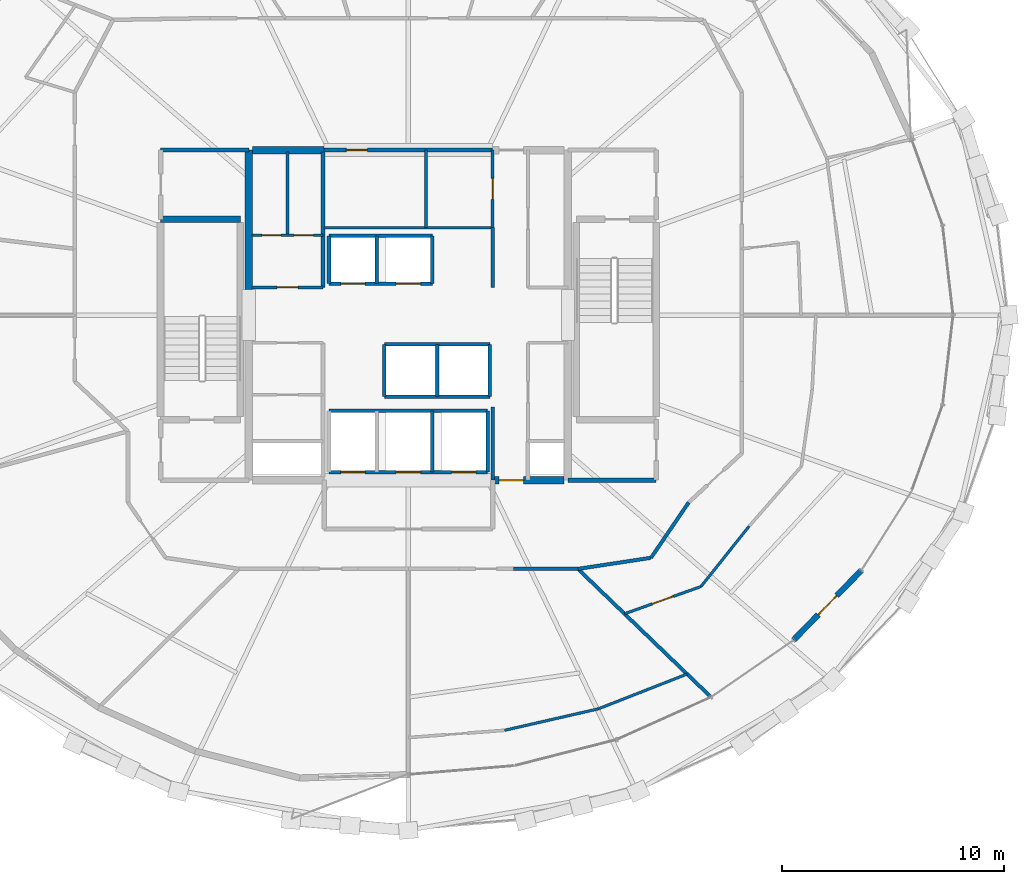
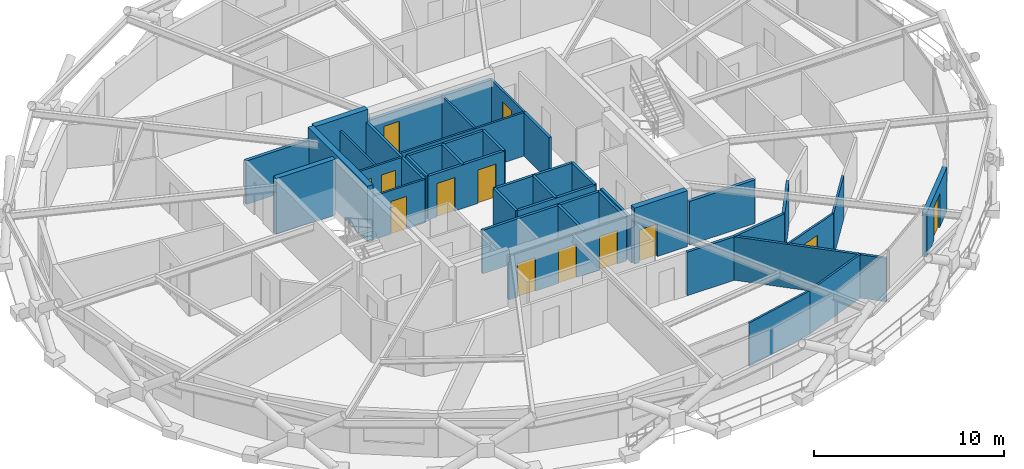
# One storey, part 13 of 16: 39 walls, 13 doors, 13 openings.
"""IFC4 building model written with IfcOpenShell, lengths in metres."""

from ifc_helpers import new_model, si_unit, direction, frame, frame_2d, origin, place, context, subcontext, project, spatial, rectangle, extrude, material, layer, layer_set, type_object, element, fill, save


model = new_model("IFC4")

# Units and contexts
model_context = context("Model", 3, precision=1e-05, world=origin(), true_north=direction((0.0, 1.0)))
body_context = subcontext(model_context, "Body", "Model", "MODEL_VIEW")
ifc_project = project(units=[si_unit("LENGTHUNIT", "METRE"), si_unit("AREAUNIT", "SQUARE_METRE"), si_unit("VOLUMEUNIT", "CUBIC_METRE"), si_unit("PLANEANGLEUNIT", "RADIAN"), si_unit("MASSUNIT", "GRAM", prefix="KILO")], contexts=[model_context])

# Site, building, storey
site_placement = place(None, origin())
site = spatial("IfcSite", under=ifc_project, at=site_placement, CompositionType="ELEMENT")
building_placement = place(site_placement, origin())
building = spatial("IfcBuilding", under=site, at=building_placement, Name="Veldorina Hangang Commons", CompositionType="ELEMENT")
storey_placement = place(building_placement, frame((0.0, 0.0, 189.199951171875)))
storey = spatial("IfcBuildingStorey", under=building, at=storey_placement, Name="L49", CompositionType="ELEMENT", Elevation=189.199951171875)

# Wall
ifc_material_1 = material(Name="Concrete C60/75", Category="concrete")
ifc_layer_1 = layer(ifc_material_1, 0.340087890625)
ifc_layer_set_1 = layer_set([ifc_layer_1], Name="Concrete C60/75")
wall_type_1 = type_object("IfcWallType", Name="CW-RC340-C60", PredefinedType="SHEAR", material=ifc_layer_set_1)
wall_1_placement = place(storey_placement, frame((24.800048828125, 25.14990234375, 0.0), z_axis=(0.0, 0.0, 1.0), x_axis=(0.0, 1.0, 0.0)))
element("IfcWall", 1, at=wall_1_placement, inside=storey, type_object=wall_type_1, Name="L49 W north core shear wall", PredefinedType="SHEAR", context=body_context, shape_type="SweptSolid", body=[
    extrude(rectangle(XDim=6.300048828125, YDim=0.340087890625, at=frame_2d((3.14990234375, 0.0))), origin(), (0.0, 0.0, 1.0), 3.60009765625),
])

# Wall, opening, door
wall_2_placement = place(storey_placement, frame((35.800048828125, 16.550048828125, 0.0), z_axis=(0.0, 0.0, 1.0), x_axis=(1.0, 0.0, 0.0)))
wall_2 = element("IfcWall", 2, at=wall_2_placement, inside=storey, type_object=wall_type_1, Name="L49 south-east core shear wall", PredefinedType="SHEAR", context=body_context, shape_type="SweptSolid", body=[
    extrude(rectangle(XDim=3.22998046875, YDim=0.340087890625, at=frame_2d((1.614990234375, 0.0))), origin(), (0.0, 0.0, 1.0), 3.60009765625),
])
opening_1_placement = place(wall_2_placement, frame((0.300048828125, 0.0, 0.0)))
opening_1 = element("IfcOpeningElement", 3, at=opening_1_placement, cuts=wall_2, Name="Opening D-08", PredefinedType="OPENING", context=body_context, shape_type="SweptSolid", body=[
    extrude(rectangle(XDim=1.10009765625, YDim=2.10009765625, at=frame_2d((0.550048828125, 1.050048828125))), frame((0.0, 0.18017578125, 0.0), z_axis=(0.0, -1.0, 0.0), x_axis=(1.0, 0.0, 0.0)), (0.0, 0.0, 1.0), 0.360107421875),
])
ifc_material_2 = material(Name="Steel Fire-Rated Smoke Seal", Category="steel")
door_type_1 = type_object("IfcDoorType", Name="DR-FIRE-1100", OperationType="SINGLE_SWING_RIGHT", PredefinedType="DOOR", material=ifc_material_2)
door_1_placement = place(opening_1_placement, origin())
door_1 = element("IfcDoor", 4, at=door_1_placement, inside=storey, type_object=door_type_1, Name="L49 central lift lobby south corridor door", OperationType="SINGLE_SWING_RIGHT", OverallHeight=2.10009765625, OverallWidth=1.10009765625, PredefinedType="DOOR", context=body_context, shape_type="SweptSolid", body=[
    extrude(rectangle(XDim=1.10009765625, YDim=2.10009765625, at=frame_2d((0.550048828125, 1.050048828125))), frame((0.0, 0.02490234375, 0.0), z_axis=(0.0, -1.0, 0.0), x_axis=(1.0, 0.0, 0.0)), (0.0, 0.0, 1.0), 0.050048828125),
])
fill(opening_1, door_1)

# Wall
wall_3_placement = place(storey_placement, frame((24.969970703125, 31.449951171875, 0.0), z_axis=(0.0, 0.0, 1.0), x_axis=(1.0, 0.0, 0.0)))
element("IfcWall", 5, at=wall_3_placement, inside=storey, type_object=wall_type_1, Name="L49 north-west core shear wall", PredefinedType="SHEAR", context=body_context, shape_type="SweptSolid", body=[
    extrude(rectangle(XDim=3.22998046875, YDim=0.340087890625, at=frame_2d((1.614990234375, 0.0))), origin(), (0.0, 0.0, 1.0), 3.60009765625),
])

# Wall, opening, door
ifc_material_3 = material(Name="Stone Roman Travertine", Category="masonry")
ifc_layer_2 = layer(ifc_material_3, 0.260009765625)
ifc_layer_set_2 = layer_set([ifc_layer_2], Name="Stone Roman Travertine")
wall_type_2 = type_object("IfcWallType", Name="EW-LOGGIA-260", PredefinedType="STANDARD", material=ifc_layer_set_2)
wall_4_placement = place(storey_placement, frame((49.383544921875, 9.340576171875, 0.0), z_axis=(0.0, 0.0, 1.0), x_axis=(0.697434596523, 0.716648437919, 0.0)))
wall_4 = element("IfcWall", 6, at=wall_4_placement, inside=storey, type_object=wall_type_2, Name="L49 sky-garden loggia portal wall 28", PredefinedType="STANDARD", context=body_context, shape_type="SweptSolid", body=[
    extrude(rectangle(XDim=4.3837890625, YDim=0.260009765625, at=frame_2d((2.19189453125, 0.0))), origin(), (0.0, 0.0, 1.0), 2.820068359375),
])
opening_2_placement = place(wall_4_placement, frame((1.591796875, 0.0, 0.0)))
opening_2 = element("IfcOpeningElement", 7, at=opening_2_placement, cuts=wall_4, Name="Opening BD-1200", PredefinedType="OPENING", context=body_context, shape_type="SweptSolid", body=[
    extrude(rectangle(XDim=1.199951171875, YDim=2.14990234375, at=frame_2d((0.60009765625, 1.074951171875))), frame((0.0, 0.14013671875, 0.0), z_axis=(0.0, -1.0, 0.0), x_axis=(1.0, 0.0, 0.0)), (0.0, 0.0, 1.0), 0.280029296875),
])
ifc_material_4 = material(Name="Glass Thermal Aluminium Frame", Category="aluminium")
door_type_2 = type_object("IfcDoorType", Name="DR-EXT-LOG1200", OperationType="SINGLE_SWING_LEFT", PredefinedType="DOOR", material=ifc_material_4)
door_2_placement = place(opening_2_placement, origin())
door_2 = element("IfcDoor", 8, at=door_2_placement, inside=storey, type_object=door_type_2, Name="L49 loggia glazed exterior door 28", OperationType="SINGLE_SWING_LEFT", OverallHeight=2.14990234375, OverallWidth=1.199951171875, PredefinedType="DOOR", context=body_context, shape_type="SweptSolid", body=[
    extrude(rectangle(XDim=1.199951171875, YDim=2.14990234375, at=frame_2d((0.60009765625, 1.074951171875))), frame((0.0, 0.02490234375, 0.0), z_axis=(0.0, -1.0, 0.0), x_axis=(1.0, 0.0, 0.0)), (0.0, 0.0, 1.0), 0.050048828125),
])
fill(opening_2, door_2)

# Walls
ifc_material_5 = material(Name="Concrete C50/60", Category="concrete")
ifc_layer_3 = layer(ifc_material_5, 0.300048828125)
ifc_layer_set_3 = layer_set([ifc_layer_3], Name="Concrete C50/60")
wall_type_3 = type_object("IfcWallType", Name="SW-STAIR-300", PredefinedType="SHEAR", material=ifc_layer_set_3)
wall_5_placement = place(storey_placement, frame((20.820068359375, 28.320068359375, 0.0), z_axis=(0.0, 0.0, 1.0), x_axis=(1.0, 0.0, 0.0)))
element("IfcWall", 9, at=wall_5_placement, inside=storey, type_object=wall_type_3, Name="L49 ST1 north stair shear wall", PredefinedType="SHEAR", context=body_context, shape_type="SweptSolid", body=[
    extrude(rectangle(XDim=3.599853515625, YDim=0.300048828125, at=frame_2d((1.7998046875, 0.0))), origin(), (0.0, 0.0, 1.0), 3.60009765625),
])
ifc_material_6 = material(Name="Gypsum Fire-Rated Twin Stud Wall", Category="gypsum")
ifc_layer_4 = layer(ifc_material_6, 0.159912109375)
ifc_layer_set_4 = layer_set([ifc_layer_4], Name="Gypsum Fire-Rated Twin Stud Wall")
wall_type_4 = type_object("IfcWallType", Name="WL-FIRE-160", PredefinedType="SOLIDWALL", material=ifc_layer_set_4)
wall_6_placement = place(storey_placement, frame((35.800048828125, 16.550048828125, 0.0), z_axis=(0.0, 0.0, 1.0), x_axis=(0.0, 1.0, 0.0)))
element("IfcWall", 10, at=wall_6_placement, inside=storey, type_object=wall_type_4, Name="L49 Lift passage SW wall 009", PredefinedType="SOLIDWALL", context=body_context, shape_type="SweptSolid", body=[
    extrude(rectangle(XDim=3.300048828125, YDim=0.159912109375, at=frame_2d((1.64990234375, 0.0))), origin(), (0.0, 0.0, 1.0), 2.800048828125),
])
wall_7_placement = place(storey_placement, frame((35.800048828125, 25.25, 0.0), z_axis=(0.0, 0.0, 1.0), x_axis=(0.0, 1.0, 0.0)))
element("IfcWall", 11, at=wall_7_placement, inside=storey, type_object=wall_type_4, Name="L49 Lift passage NW lower wall 011", PredefinedType="SOLIDWALL", context=body_context, shape_type="SweptSolid", body=[
    extrude(rectangle(XDim=2.699951171875, YDim=0.159912109375, at=frame_2d((1.35009765625, 0.0))), origin(), (0.0, 0.0, 1.0), 2.800048828125),
])

# Wall, openings, doors
wall_8_placement = place(storey_placement, frame((28.419921875, 25.419921875, 0.0), z_axis=(0.0, 0.0, 1.0), x_axis=(1.0, 0.0, 0.0)))
wall_8 = element("IfcWall", 12, at=wall_8_placement, inside=storey, type_object=wall_type_4, Name="L49 Mid-high front shaft wall 015", PredefinedType="SOLIDWALL", context=body_context, shape_type="SweptSolid", body=[
    extrude(rectangle(XDim=4.66015625, YDim=0.159912109375, at=frame_2d((2.330078125, 0.0))), origin(), (0.0, 0.0, 1.0), 2.800048828125),
])
opening_3_placement = place(wall_8_placement, frame((0.530029296875, 0.0, 0.0)))
opening_3 = element("IfcOpeningElement", 13, at=opening_3_placement, cuts=wall_8, Name="Opening LD-01", PredefinedType="OPENING", context=body_context, shape_type="SweptSolid", body=[
    extrude(rectangle(XDim=1.10009765625, YDim=2.14990234375, at=frame_2d((0.550048828125, 1.074951171875))), frame((0.0, 0.08984375, 0.0), z_axis=(0.0, -1.0, 0.0), x_axis=(1.0, 0.0, 0.0)), (0.0, 0.0, 1.0), 0.179931640625),
])
opening_4_placement = place(wall_8_placement, frame((3.030029296875, 0.0, 0.0)))
opening_4 = element("IfcOpeningElement", 14, at=opening_4_placement, cuts=wall_8, Name="Opening LD-01", PredefinedType="OPENING", context=body_context, shape_type="SweptSolid", body=[
    extrude(rectangle(XDim=1.10009765625, YDim=2.14990234375, at=frame_2d((0.550048828125, 1.074951171875))), frame((0.0, 0.08984375, 0.0), z_axis=(0.0, -1.0, 0.0), x_axis=(1.0, 0.0, 0.0)), (0.0, 0.0, 1.0), 0.179931640625),
])
ifc_material_7 = material(Name="Stainless Steel Brushed Lift Door", Category="steel")
door_type_3 = type_object("IfcDoorType", Name="DR-LIFT-1100", OperationType="SLIDING_TO_LEFT", PredefinedType="DOOR", material=ifc_material_7)
door_3_placement = place(opening_3_placement, origin())
door_3 = element("IfcDoor", 15, at=door_3_placement, inside=storey, type_object=door_type_3, Name="L49 Lift PL-M1 landing door 006", OperationType="SLIDING_TO_RIGHT", OverallHeight=2.14990234375, OverallWidth=1.10009765625, PredefinedType="DOOR", context=body_context, shape_type="SweptSolid", body=[
    extrude(rectangle(XDim=1.10009765625, YDim=2.14990234375, at=frame_2d((0.550048828125, 1.074951171875))), frame((0.0, 0.02490234375, 0.0), z_axis=(0.0, -1.0, 0.0), x_axis=(1.0, 0.0, 0.0)), (0.0, 0.0, 1.0), 0.050048828125),
])
fill(opening_3, door_3)
door_4_placement = place(opening_4_placement, origin())
door_4 = element("IfcDoor", 16, at=door_4_placement, inside=storey, type_object=door_type_3, Name="L49 Lift PL-M2 landing door 007", OperationType="SLIDING_TO_RIGHT", OverallHeight=2.14990234375, OverallWidth=1.10009765625, PredefinedType="DOOR", context=body_context, shape_type="SweptSolid", body=[
    extrude(rectangle(XDim=1.10009765625, YDim=2.14990234375, at=frame_2d((0.550048828125, 1.074951171875))), frame((0.0, 0.02490234375, 0.0), z_axis=(0.0, -1.0, 0.0), x_axis=(1.0, 0.0, 0.0)), (0.0, 0.0, 1.0), 0.050048828125),
])
fill(opening_4, door_4)

# Walls
wall_9_placement = place(storey_placement, frame((28.419921875, 27.580078125, 0.0), z_axis=(0.0, 0.0, 1.0), x_axis=(1.0, 0.0, 0.0)))
element("IfcWall", 17, at=wall_9_placement, inside=storey, type_object=wall_type_4, Name="L49 Mid-high rear shaft wall 016", PredefinedType="SOLIDWALL", context=body_context, shape_type="SweptSolid", body=[
    extrude(rectangle(XDim=4.66015625, YDim=0.159912109375, at=frame_2d((2.330078125, 0.0))), origin(), (0.0, 0.0, 1.0), 2.800048828125),
])
for number, where, z_axis, x_axis, name in (
    (18, (28.419921875, 25.419921875, 0.0), (0.0, 0.0, 1.0), (0.0, 1.0, 0.0), "L49 PL-M1 west shaft wall 017"),
    (19, (30.580078125, 25.419921875, 0.0), (0.0, 0.0, 1.0), (0.0, 1.0, 0.0), "L49 PL-M1 east shaft wall 018"),
    (20, (33.080078125, 25.419921875, 0.0), (0.0, 0.0, 1.0), (0.0, 1.0, 0.0), "L49 PL-M2 east shaft wall 019"),
):
    element("IfcWall", number, at=place(storey_placement, frame(where, z_axis=z_axis, x_axis=x_axis)), inside=storey, type_object=wall_type_4, Name=name, PredefinedType="SOLIDWALL", context=body_context, shape_type="SweptSolid", body=[
        extrude(rectangle(XDim=2.16015625, YDim=0.159912109375, at=frame_2d((1.080078125, 0.0))), origin(), (0.0, 0.0, 1.0), 2.800048828125),
    ])
for number, where, z_axis, x_axis, name in (
    (21, (30.919921875, 22.679931640625, 0.0), (0.0, 0.0, 1.0), (1.0, 0.0, 0.0), "L49 Shuttle-high front shaft wall 020"),
    (22, (30.919921875, 20.320068359375, 0.0), (0.0, 0.0, 1.0), (1.0, 0.0, 0.0), "L49 Shuttle-high rear shaft wall 021"),
):
    element("IfcWall", number, at=place(storey_placement, frame(where, z_axis=z_axis, x_axis=x_axis)), inside=storey, type_object=wall_type_4, Name=name, PredefinedType="SOLIDWALL", context=body_context, shape_type="SweptSolid", body=[
        extrude(rectangle(XDim=4.760009765625, YDim=0.159912109375, at=frame_2d((2.3798828125, 0.0))), origin(), (0.0, 0.0, 1.0), 2.800048828125),
    ])
for number, where, z_axis, x_axis, name in (
    (23, (30.919921875, 20.320068359375, 0.0), (0.0, 0.0, 1.0), (0.0, 1.0, 0.0), "L49 SL-1 west shaft wall 022"),
    (24, (33.300048828125, 20.320068359375, 0.0), (0.0, 0.0, 1.0), (0.0, 1.0, 0.0), "L49 SL-1 east shaft wall 023"),
    (25, (35.679931640625, 20.320068359375, 0.0), (0.0, 0.0, 1.0), (0.0, 1.0, 0.0), "L49 SL-2 east shaft wall 024"),
):
    element("IfcWall", number, at=place(storey_placement, frame(where, z_axis=z_axis, x_axis=x_axis)), inside=storey, type_object=wall_type_4, Name=name, PredefinedType="SOLIDWALL", context=body_context, shape_type="SweptSolid", body=[
        extrude(rectangle(XDim=2.35986328125, YDim=0.159912109375, at=frame_2d((1.179931640625, 0.0))), origin(), (0.0, 0.0, 1.0), 2.800048828125),
    ])

# Wall, openings, doors
wall_10_placement = place(storey_placement, frame((28.419921875, 16.919921875, 0.0), z_axis=(0.0, 0.0, 1.0), x_axis=(1.0, 0.0, 0.0)))
wall_10 = element("IfcWall", 26, at=wall_10_placement, inside=storey, type_object=wall_type_4, Name="L49 Emergency front shaft wall 025", PredefinedType="SOLIDWALL", context=body_context, shape_type="SweptSolid", body=[
    extrude(rectangle(XDim=7.16015625, YDim=0.159912109375, at=frame_2d((3.580078125, 0.0))), origin(), (0.0, 0.0, 1.0), 2.800048828125),
])
opening_5_placement = place(wall_10_placement, frame((0.530029296875, 0.0, 0.0)))
opening_5 = element("IfcOpeningElement", 27, at=opening_5_placement, cuts=wall_10, Name="Opening LD-03", PredefinedType="OPENING", context=body_context, shape_type="SweptSolid", body=[
    extrude(rectangle(XDim=1.10009765625, YDim=2.14990234375, at=frame_2d((0.550048828125, 1.074951171875))), frame((0.0, 0.08984375, 0.0), z_axis=(0.0, -1.0, 0.0), x_axis=(1.0, 0.0, 0.0)), (0.0, 0.0, 1.0), 0.179931640625),
])
opening_6_placement = place(wall_10_placement, frame((3.030029296875, 0.0, 0.0)))
opening_6 = element("IfcOpeningElement", 28, at=opening_6_placement, cuts=wall_10, Name="Opening LD-03", PredefinedType="OPENING", context=body_context, shape_type="SweptSolid", body=[
    extrude(rectangle(XDim=1.10009765625, YDim=2.14990234375, at=frame_2d((0.550048828125, 1.074951171875))), frame((0.0, 0.08984375, 0.0), z_axis=(0.0, -1.0, 0.0), x_axis=(1.0, 0.0, 0.0)), (0.0, 0.0, 1.0), 0.179931640625),
])
opening_7_placement = place(wall_10_placement, frame((5.530029296875, 0.0, 0.0)))
opening_7 = element("IfcOpeningElement", 29, at=opening_7_placement, cuts=wall_10, Name="Opening LD-03", PredefinedType="OPENING", context=body_context, shape_type="SweptSolid", body=[
    extrude(rectangle(XDim=1.10009765625, YDim=2.14990234375, at=frame_2d((0.550048828125, 1.074951171875))), frame((0.0, 0.08984375, 0.0), z_axis=(0.0, -1.0, 0.0), x_axis=(1.0, 0.0, 0.0)), (0.0, 0.0, 1.0), 0.179931640625),
])
ifc_material_8 = material(Name="Stainless Steel Firefighting Lift Door", Category="steel")
door_type_4 = type_object("IfcDoorType", Name="DR-LIFT-FF1100", OperationType="SLIDING_TO_RIGHT", PredefinedType="DOOR", material=ifc_material_8)
door_5_placement = place(opening_5_placement, origin())
door_5 = element("IfcDoor", 30, at=door_5_placement, inside=storey, type_object=door_type_4, Name="L49 Emergency lift FFL-1 landing door 008", OperationType="SLIDING_TO_RIGHT", OverallHeight=2.14990234375, OverallWidth=1.10009765625, PredefinedType="DOOR", context=body_context, shape_type="SweptSolid", body=[
    extrude(rectangle(XDim=1.10009765625, YDim=2.14990234375, at=frame_2d((0.550048828125, 1.074951171875))), frame((0.0, 0.02490234375, 0.0), z_axis=(0.0, -1.0, 0.0), x_axis=(1.0, 0.0, 0.0)), (0.0, 0.0, 1.0), 0.050048828125),
])
fill(opening_5, door_5)
door_6_placement = place(opening_6_placement, origin())
door_6 = element("IfcDoor", 31, at=door_6_placement, inside=storey, type_object=door_type_4, Name="L49 Emergency lift FFL-2 landing door 009", OperationType="SLIDING_TO_RIGHT", OverallHeight=2.14990234375, OverallWidth=1.10009765625, PredefinedType="DOOR", context=body_context, shape_type="SweptSolid", body=[
    extrude(rectangle(XDim=1.10009765625, YDim=2.14990234375, at=frame_2d((0.550048828125, 1.074951171875))), frame((0.0, 0.02490234375, 0.0), z_axis=(0.0, -1.0, 0.0), x_axis=(1.0, 0.0, 0.0)), (0.0, 0.0, 1.0), 0.050048828125),
])
fill(opening_6, door_6)
door_7_placement = place(opening_7_placement, origin())
door_7 = element("IfcDoor", 32, at=door_7_placement, inside=storey, type_object=door_type_4, Name="L49 Emergency lift EVL-1 landing door 010", OperationType="SLIDING_TO_RIGHT", OverallHeight=2.14990234375, OverallWidth=1.10009765625, PredefinedType="DOOR", context=body_context, shape_type="SweptSolid", body=[
    extrude(rectangle(XDim=1.10009765625, YDim=2.14990234375, at=frame_2d((0.550048828125, 1.074951171875))), frame((0.0, 0.02490234375, 0.0), z_axis=(0.0, -1.0, 0.0), x_axis=(1.0, 0.0, 0.0)), (0.0, 0.0, 1.0), 0.050048828125),
])
fill(opening_7, door_7)

# Walls
wall_11_placement = place(storey_placement, frame((28.419921875, 19.679931640625, 0.0), z_axis=(0.0, 0.0, 1.0), x_axis=(1.0, 0.0, 0.0)))
element("IfcWall", 33, at=wall_11_placement, inside=storey, type_object=wall_type_4, Name="L49 Emergency rear shaft wall 026", PredefinedType="SOLIDWALL", context=body_context, shape_type="SweptSolid", body=[
    extrude(rectangle(XDim=7.16015625, YDim=0.159912109375, at=frame_2d((3.580078125, 0.0))), origin(), (0.0, 0.0, 1.0), 2.800048828125),
])
for number, where, z_axis, x_axis, name in (
    (34, (33.080078125, 16.919921875, 0.0), (0.0, 0.0, 1.0), (0.0, 1.0, 0.0), "L49 FFL-2 east shaft wall 029"),
    (35, (35.580078125, 16.919921875, 0.0), (0.0, 0.0, 1.0), (0.0, 1.0, 0.0), "L49 EVL-1 east shaft wall 030"),
):
    element("IfcWall", number, at=place(storey_placement, frame(where, z_axis=z_axis, x_axis=x_axis)), inside=storey, type_object=wall_type_4, Name=name, PredefinedType="SOLIDWALL", context=body_context, shape_type="SweptSolid", body=[
        extrude(rectangle(XDim=2.760009765625, YDim=0.159912109375, at=frame_2d((1.3798828125, 0.0))), origin(), (0.0, 0.0, 1.0), 2.800048828125),
    ])
wall_12_placement = place(storey_placement, frame((28.14990234375, 25.25, 0.0), z_axis=(0.0, 0.0, 1.0), x_axis=(0.0, 1.0, 0.0)))
element("IfcWall", 36, at=wall_12_placement, inside=storey, type_object=wall_type_4, Name="L49 NW core inner wall 038", PredefinedType="SOLIDWALL", context=body_context, shape_type="SweptSolid", body=[
    extrude(rectangle(XDim=6.10009765625, YDim=0.159912109375, at=frame_2d((3.050048828125, 0.0))), origin(), (0.0, 0.0, 1.0), 2.800048828125),
])
wall_13_placement = place(storey_placement, frame((36.74267578125, 12.550048828125, 0.0), z_axis=(0.0, 0.0, 1.0), x_axis=(1.0, 0.0, 0.0)))
element("IfcWall", 37, at=wall_13_placement, inside=storey, type_object=wall_type_4, Name="L49 U-corridor outer wall 26 074", PredefinedType="SOLIDWALL", context=body_context, shape_type="SweptSolid", body=[
    extrude(rectangle(XDim=2.907958984375, YDim=0.159912109375, at=frame_2d((1.4541015625, 0.0))), origin(), (0.0, 0.0, 1.0), 2.800048828125),
])
wall_14_placement = place(storey_placement, frame((39.650634765625, 12.550048828125, 0.0), z_axis=(0.0, 0.0, 1.0), x_axis=(0.988710906508, 0.149835721217, 0.0)))
element("IfcWall", 38, at=wall_14_placement, inside=storey, type_object=wall_type_4, Name="L49 U-corridor outer wall 27 075", PredefinedType="SOLIDWALL", context=body_context, shape_type="SweptSolid", body=[
    extrude(rectangle(XDim=3.3369140625, YDim=0.159912109375, at=frame_2d((1.66845703125, 0.0))), origin(), (0.0, 0.0, 1.0), 2.800048828125),
])
wall_15_placement = place(storey_placement, frame((42.949951171875, 13.050048828125, 0.0), z_axis=(0.0, 0.0, 1.0), x_axis=(0.562674669208, 0.826678423955, 0.0)))
element("IfcWall", 39, at=wall_15_placement, inside=storey, type_object=wall_type_4, Name="L49 U-corridor outer wall 28 076", PredefinedType="SOLIDWALL", context=body_context, shape_type="SweptSolid", body=[
    extrude(rectangle(XDim=3.021240234375, YDim=0.159912109375, at=frame_2d((1.5107421875, 0.0))), origin(), (0.0, 0.0, 1.0), 2.800048828125),
])
wall_16_placement = place(storey_placement, frame((39.650634765625, 12.550048828125, 0.0), z_axis=(0.0, 0.0, 1.0), x_axis=(0.72017417734, -0.693793308048, 0.0)))
element("IfcWall", 40, at=wall_16_placement, inside=storey, type_object=wall_type_4, Name="L49 Unit party wall 27 080", PredefinedType="SOLIDWALL", context=body_context, shape_type="SweptSolid", body=[
    extrude(rectangle(XDim=8.2919921875, YDim=0.159912109375, at=frame_2d((4.14599609375, 0.0))), origin(), (0.0, 0.0, 1.0), 2.800048828125),
])
ifc_material_9 = material(Name="Concrete Blockwork Fire Wall C30/37", Category="masonry")
ifc_layer_5 = layer(ifc_material_9, 0.199951171875)
ifc_layer_set_5 = layer_set([ifc_layer_5], Name="Concrete Blockwork Fire Wall C30/37")
wall_type_5 = type_object("IfcWallType", Name="WL-FIRE-200", PredefinedType="SOLIDWALL", material=ifc_layer_set_5)
for number, where, z_axis, x_axis, name in (
    (41, (20.820068359375, 31.449951171875, 0.0), (0.0, 0.0, 1.0), (1.0, 0.0, 0.0), "L49 NW core room north wall 006"),
    (42, (39.199951171875, 16.550048828125, 0.0), (0.0, 0.0, 1.0), (1.0, 0.0, 0.0), "L49 SE core room south wall 008"),
):
    element("IfcWall", number, at=place(storey_placement, frame(where, z_axis=z_axis, x_axis=x_axis)), inside=storey, type_object=wall_type_5, Name=name, PredefinedType="SOLIDWALL", context=body_context, shape_type="SweptSolid", body=[
        extrude(rectangle(XDim=3.97998046875, YDim=0.199951171875, at=frame_2d((1.989990234375, 0.0))), origin(), (0.0, 0.0, 1.0), 2.800048828125),
    ])

# Wall, opening, door
wall_17_placement = place(storey_placement, frame((28.199951171875, 31.449951171875, 0.0), z_axis=(0.0, 0.0, 1.0), x_axis=(1.0, 0.0, 0.0)))
wall_17 = element("IfcWall", 43, at=wall_17_placement, inside=storey, type_object=wall_type_5, Name="L49 Merged north core wall 031", PredefinedType="SOLIDWALL", context=body_context, shape_type="SweptSolid", body=[
    extrude(rectangle(XDim=7.60009765625, YDim=0.199951171875, at=frame_2d((3.800048828125, 0.0))), origin(), (0.0, 0.0, 1.0), 2.800048828125),
])
opening_8_placement = place(wall_17_placement, frame((1.0, 0.0, 0.0)))
opening_8 = element("IfcOpeningElement", 44, at=opening_8_placement, cuts=wall_17, Name="Opening D-02", PredefinedType="OPENING", context=body_context, shape_type="SweptSolid", body=[
    extrude(rectangle(XDim=0.949951171875, YDim=2.10009765625, at=frame_2d((0.47509765625, 1.050048828125))), frame((0.0, 0.10986328125, 0.0), z_axis=(0.0, -1.0, 0.0), x_axis=(1.0, 0.0, 0.0)), (0.0, 0.0, 1.0), 0.219970703125),
])
ifc_material_10 = material(Name="Timber Solid Core Acoustic", Category="wood")
door_type_5 = type_object("IfcDoorType", Name="DR-INT-950", OperationType="SINGLE_SWING_LEFT", PredefinedType="DOOR", material=ifc_material_10)
door_8_placement = place(opening_8_placement, origin())
door_8 = element("IfcDoor", 45, at=door_8_placement, inside=storey, type_object=door_type_5, Name="L49 Core study alcove door 011", OperationType="SINGLE_SWING_LEFT", OverallHeight=2.10009765625, OverallWidth=0.949951171875, PredefinedType="DOOR", context=body_context, shape_type="SweptSolid", body=[
    extrude(rectangle(XDim=0.949951171875, YDim=2.10009765625, at=frame_2d((0.47509765625, 1.050048828125))), frame((0.0, 0.02490234375, 0.0), z_axis=(0.0, -1.0, 0.0), x_axis=(1.0, 0.0, 0.0)), (0.0, 0.0, 1.0), 0.050048828125),
])
fill(opening_8, door_8)

# Wall
ifc_material_11 = material(Name="Gypsum Acoustic Stud Partition", Category="gypsum")
ifc_layer_6 = layer(ifc_material_11, 0.1201171875)
ifc_layer_set_6 = layer_set([ifc_layer_6], Name="Gypsum Acoustic Stud Partition")
wall_type_6 = type_object("IfcWallType", Name="WL-PART-120", PredefinedType="PARTITIONING", material=ifc_layer_set_6)
wall_18_placement = place(storey_placement, frame((28.199951171875, 27.949951171875, 0.0), z_axis=(0.0, 0.0, 1.0), x_axis=(1.0, 0.0, 0.0)))
element("IfcWall", 46, at=wall_18_placement, inside=storey, type_object=wall_type_6, Name="L49 Merged north south wall 032", PredefinedType="PARTITIONING", context=body_context, shape_type="SweptSolid", body=[
    extrude(rectangle(XDim=7.60009765625, YDim=0.1201171875, at=frame_2d((3.800048828125, 0.0))), origin(), (0.0, 0.0, 1.0), 2.800048828125),
])

# Wall, opening, door
wall_19_placement = place(storey_placement, frame((35.800048828125, 27.949951171875, 0.0), z_axis=(0.0, 0.0, 1.0), x_axis=(0.0, 1.0, 0.0)))
wall_19 = element("IfcWall", 47, at=wall_19_placement, inside=storey, type_object=wall_type_6, Name="L49 Merged north east wall 033", PredefinedType="PARTITIONING", context=body_context, shape_type="SweptSolid", body=[
    extrude(rectangle(XDim=3.5, YDim=0.1201171875, at=frame_2d((1.75, 0.0))), origin(), (0.0, 0.0, 1.0), 2.800048828125),
])
opening_9_placement = place(wall_19_placement, frame((1.27490234375, 0.0, 0.0)))
opening_9 = element("IfcOpeningElement", 48, at=opening_9_placement, cuts=wall_19, Name="Opening D-02", PredefinedType="OPENING", context=body_context, shape_type="SweptSolid", body=[
    extrude(rectangle(XDim=0.949951171875, YDim=2.10009765625, at=frame_2d((0.47509765625, 1.050048828125))), frame((0.0, 0.070068359375, 0.0), z_axis=(0.0, -1.0, 0.0), x_axis=(1.0, 0.0, 0.0)), (0.0, 0.0, 1.0), 0.14013671875),
])
door_9_placement = place(opening_9_placement, origin())
door_9 = element("IfcDoor", 49, at=door_9_placement, inside=storey, type_object=door_type_5, Name="L49 Core linen store door 012", OperationType="SINGLE_SWING_RIGHT", OverallHeight=2.10009765625, OverallWidth=0.949951171875, PredefinedType="DOOR", context=body_context, shape_type="SweptSolid", body=[
    extrude(rectangle(XDim=0.949951171875, YDim=2.10009765625, at=frame_2d((0.47509765625, 1.050048828125))), frame((0.0, 0.02490234375, 0.0), z_axis=(0.0, -1.0, 0.0), x_axis=(1.0, 0.0, 0.0)), (0.0, 0.0, 1.0), 0.050048828125),
])
fill(opening_9, door_9)

# Wall
wall_20_placement = place(storey_placement, frame((32.800048828125, 27.949951171875, 0.0), z_axis=(0.0, 0.0, 1.0), x_axis=(0.0, 1.0, 0.0)))
element("IfcWall", 50, at=wall_20_placement, inside=storey, type_object=wall_type_6, Name="L49 Merged north split wall 034", PredefinedType="PARTITIONING", context=body_context, shape_type="SweptSolid", body=[
    extrude(rectangle(XDim=3.5, YDim=0.1201171875, at=frame_2d((1.75, 0.0))), origin(), (0.0, 0.0, 1.0), 2.800048828125),
])

# Wall, opening, door
wall_21_placement = place(storey_placement, frame((24.949951171875, 25.25, 0.0), z_axis=(0.0, 0.0, 1.0), x_axis=(1.0, 0.0, 0.0)))
wall_21 = element("IfcWall", 51, at=wall_21_placement, inside=storey, type_object=wall_type_6, Name="L49 NW service south wall 039", PredefinedType="PARTITIONING", context=body_context, shape_type="SweptSolid", body=[
    extrude(rectangle(XDim=3.199951171875, YDim=0.1201171875, at=frame_2d((1.60009765625, 0.0))), origin(), (0.0, 0.0, 1.0), 2.800048828125),
])
opening_10_placement = place(wall_21_placement, frame((1.125, 0.0, 0.0)))
opening_10 = element("IfcOpeningElement", 52, at=opening_10_placement, cuts=wall_21, Name="Opening D-02", PredefinedType="OPENING", context=body_context, shape_type="SweptSolid", body=[
    extrude(rectangle(XDim=0.949951171875, YDim=2.10009765625, at=frame_2d((0.47509765625, 1.050048828125))), frame((0.0, 0.070068359375, 0.0), z_axis=(0.0, -1.0, 0.0), x_axis=(1.0, 0.0, 0.0)), (0.0, 0.0, 1.0), 0.14013671875),
])
door_10_placement = place(opening_10_placement, origin())
door_10 = element("IfcDoor", 53, at=door_10_placement, inside=storey, type_object=door_type_5, Name="L49 Utility vestibule door 013", OperationType="SINGLE_SWING_LEFT", OverallHeight=2.10009765625, OverallWidth=0.949951171875, PredefinedType="DOOR", context=body_context, shape_type="SweptSolid", body=[
    extrude(rectangle(XDim=0.949951171875, YDim=2.10009765625, at=frame_2d((0.47509765625, 1.050048828125))), frame((0.0, 0.02490234375, 0.0), z_axis=(0.0, -1.0, 0.0), x_axis=(1.0, 0.0, 0.0)), (0.0, 0.0, 1.0), 0.050048828125),
])
fill(opening_10, door_10)

# Wall, openings, doors
wall_22_placement = place(storey_placement, frame((24.949951171875, 27.60009765625, 0.0), z_axis=(0.0, 0.0, 1.0), x_axis=(1.0, 0.0, 0.0)))
wall_22 = element("IfcWall", 54, at=wall_22_placement, inside=storey, type_object=wall_type_6, Name="L49 NW lower split 045", PredefinedType="PARTITIONING", context=body_context, shape_type="SweptSolid", body=[
    extrude(rectangle(XDim=3.199951171875, YDim=0.1201171875, at=frame_2d((1.60009765625, 0.0))), origin(), (0.0, 0.0, 1.0), 2.800048828125),
])
opening_11_placement = place(wall_22_placement, frame((0.43994140625, 0.0, 0.0)))
opening_11 = element("IfcOpeningElement", 55, at=opening_11_placement, cuts=wall_22, Name="Opening D-01", PredefinedType="OPENING", context=body_context, shape_type="SweptSolid", body=[
    extrude(rectangle(XDim=0.860107421875, YDim=2.10009765625, at=frame_2d((0.43017578125, 1.050048828125))), frame((0.0, 0.070068359375, 0.0), z_axis=(0.0, -1.0, 0.0), x_axis=(1.0, 0.0, 0.0)), (0.0, 0.0, 1.0), 0.14013671875),
])
opening_12_placement = place(wall_22_placement, frame((1.89990234375, 0.0, 0.0)))
opening_12 = element("IfcOpeningElement", 56, at=opening_12_placement, cuts=wall_22, Name="Opening D-01", PredefinedType="OPENING", context=body_context, shape_type="SweptSolid", body=[
    extrude(rectangle(XDim=0.860107421875, YDim=2.10009765625, at=frame_2d((0.43017578125, 1.050048828125))), frame((0.0, 0.070068359375, 0.0), z_axis=(0.0, -1.0, 0.0), x_axis=(1.0, 0.0, 0.0)), (0.0, 0.0, 1.0), 0.14013671875),
])
ifc_material_12 = material(Name="Timber Moisture-Resistant Core", Category="wood")
door_type_6 = type_object("IfcDoorType", Name="DR-WET-860", OperationType="SINGLE_SWING_LEFT", PredefinedType="DOOR", material=ifc_material_12)
door_11_placement = place(opening_11_placement, origin())
door_11 = element("IfcDoor", 57, at=door_11_placement, inside=storey, type_object=door_type_6, Name="L49 Store A door 014", OperationType="SINGLE_SWING_RIGHT", OverallHeight=2.10009765625, OverallWidth=0.860107421875, PredefinedType="DOOR", context=body_context, shape_type="SweptSolid", body=[
    extrude(rectangle(XDim=0.860107421875, YDim=2.10009765625, at=frame_2d((0.43017578125, 1.050048828125))), frame((0.0, 0.02490234375, 0.0), z_axis=(0.0, -1.0, 0.0), x_axis=(1.0, 0.0, 0.0)), (0.0, 0.0, 1.0), 0.050048828125),
])
fill(opening_11, door_11)
door_12_placement = place(opening_12_placement, origin())
door_12 = element("IfcDoor", 58, at=door_12_placement, inside=storey, type_object=door_type_6, Name="L49 Store B door 015", OperationType="SINGLE_SWING_LEFT", OverallHeight=2.10009765625, OverallWidth=0.860107421875, PredefinedType="DOOR", context=body_context, shape_type="SweptSolid", body=[
    extrude(rectangle(XDim=0.860107421875, YDim=2.10009765625, at=frame_2d((0.43017578125, 1.050048828125))), frame((0.0, 0.02490234375, 0.0), z_axis=(0.0, -1.0, 0.0), x_axis=(1.0, 0.0, 0.0)), (0.0, 0.0, 1.0), 0.050048828125),
])
fill(opening_12, door_12)

# Wall
wall_23_placement = place(storey_placement, frame((26.550048828125, 27.60009765625, 0.0), z_axis=(0.0, 0.0, 1.0), x_axis=(0.0, 1.0, 0.0)))
element("IfcWall", 59, at=wall_23_placement, inside=storey, type_object=wall_type_6, Name="L49 NW upper vertical split 046", PredefinedType="PARTITIONING", context=body_context, shape_type="SweptSolid", body=[
    extrude(rectangle(XDim=3.75, YDim=0.1201171875, at=frame_2d((1.875, 0.0))), origin(), (0.0, 0.0, 1.0), 2.800048828125),
])

# Wall, opening, door
wall_24_placement = place(storey_placement, frame((41.75341796875, 10.5244140625, 0.0), z_axis=(0.0, 0.0, 1.0), x_axis=(0.942114059341, 0.335292557615, 0.0)))
wall_24 = element("IfcWall", 60, at=wall_24_placement, inside=storey, type_object=wall_type_6, Name="L49 Lounge alcove split 0 081", PredefinedType="PARTITIONING", context=body_context, shape_type="SweptSolid", body=[
    extrude(rectangle(XDim=3.660400390625, YDim=0.1201171875, at=frame_2d((1.830078125, 0.0))), origin(), (0.0, 0.0, 1.0), 2.800048828125),
])
opening_13_placement = place(wall_24_placement, frame((1.330078125, 0.0, 0.0)))
opening_13 = element("IfcOpeningElement", 61, at=opening_13_placement, cuts=wall_24, Name="Opening D-05", PredefinedType="OPENING", context=body_context, shape_type="SweptSolid", body=[
    extrude(rectangle(XDim=1.0, YDim=2.10009765625, at=frame_2d((0.5, 1.050048828125))), frame((0.0, 0.070068359375, 0.0), z_axis=(0.0, -1.0, 0.0), x_axis=(1.0, 0.0, 0.0)), (0.0, 0.0, 1.0), 0.14013671875),
])
door_type_7 = type_object("IfcDoorType", Name="DR-INT-1000", OperationType="SINGLE_SWING_RIGHT", PredefinedType="DOOR", material=ifc_material_10)
door_13_placement = place(opening_13_placement, origin())
door_13 = element("IfcDoor", 62, at=door_13_placement, inside=storey, type_object=door_type_7, Name="L49 Commons lounge door 021", OperationType="SINGLE_SWING_LEFT", OverallHeight=2.10009765625, OverallWidth=1.0, PredefinedType="DOOR", context=body_context, shape_type="SweptSolid", body=[
    extrude(rectangle(XDim=1.0, YDim=2.10009765625, at=frame_2d((0.5, 1.050048828125))), frame((0.0, 0.02490234375, 0.0), z_axis=(0.0, -1.0, 0.0), x_axis=(1.0, 0.0, 0.0)), (0.0, 0.0, 1.0), 0.050048828125),
])
fill(opening_13, door_13)

# Walls
wall_25_placement = place(storey_placement, frame((45.201904296875, 11.751708984375, 0.0), z_axis=(0.0, 0.0, 1.0), x_axis=(0.624079707302, 0.781360684277, 0.0)))
element("IfcWall", 63, at=wall_25_placement, inside=storey, type_object=wall_type_6, Name="L49 Lounge alcove split 1 082", PredefinedType="PARTITIONING", context=body_context, shape_type="SweptSolid", body=[
    extrude(rectangle(XDim=3.48486328125, YDim=0.1201171875, at=frame_2d((1.742431640625, 0.0))), origin(), (0.0, 0.0, 1.0), 2.800048828125),
])
wall_26_placement = place(storey_placement, frame((36.3427734375, 5.265869140625, 0.0), z_axis=(0.0, 0.0, 1.0), x_axis=(0.974783645489, 0.223152065836, 0.0)))
element("IfcWall", 64, at=wall_26_placement, inside=storey, type_object=wall_type_6, Name="L49 Laundry split 1 110", PredefinedType="PARTITIONING", context=body_context, shape_type="SweptSolid", body=[
    extrude(rectangle(XDim=4.334716796875, YDim=0.1201171875, at=frame_2d((2.16748046875, 0.0))), origin(), (0.0, 0.0, 1.0), 2.800048828125),
])
wall_27_placement = place(storey_placement, frame((40.568115234375, 6.233154296875, 0.0), z_axis=(0.0, 0.0, 1.0), x_axis=(0.931054421881, 0.36488034134, 0.0)))
element("IfcWall", 65, at=wall_27_placement, inside=storey, type_object=wall_type_6, Name="L49 Laundry split 2 111", PredefinedType="PARTITIONING", context=body_context, shape_type="SweptSolid", body=[
    extrude(rectangle(XDim=4.3056640625, YDim=0.1201171875, at=frame_2d((2.15283203125, 0.0))), origin(), (0.0, 0.0, 1.0), 2.800048828125),
])

save(model, "model.ifc")
